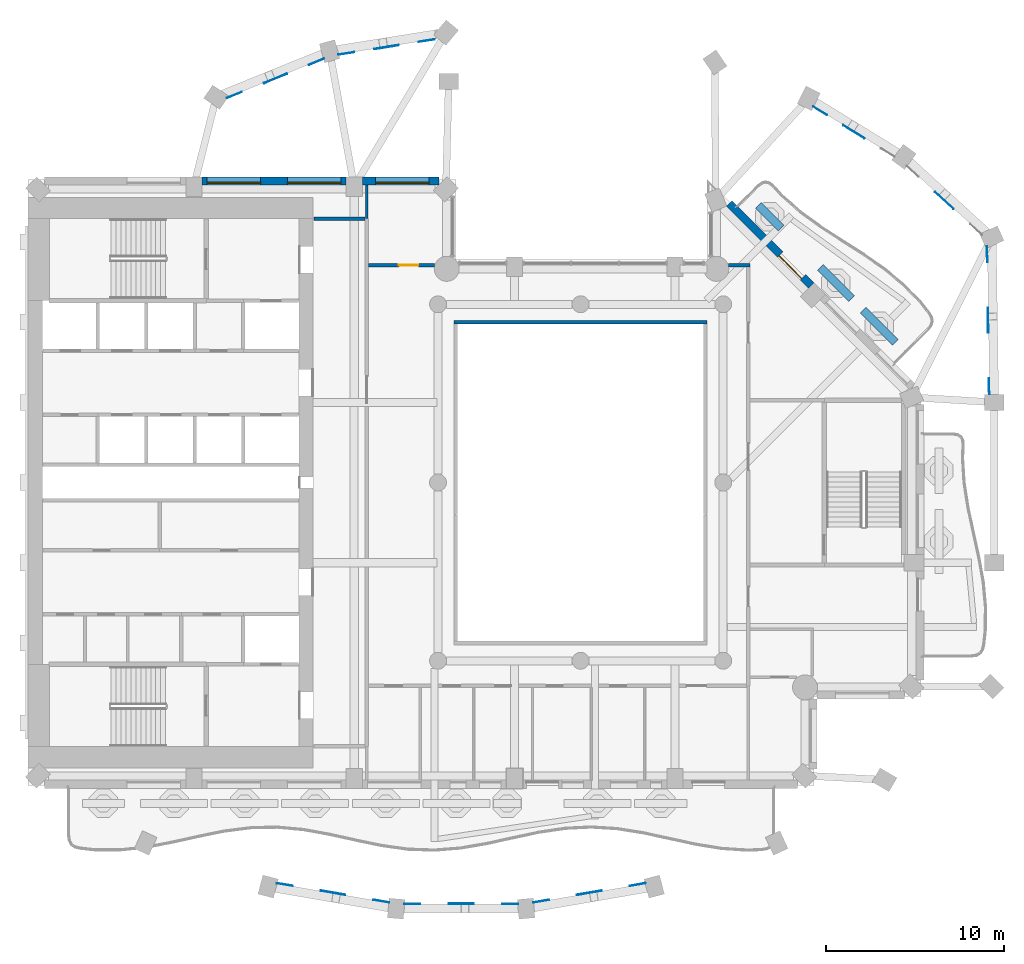
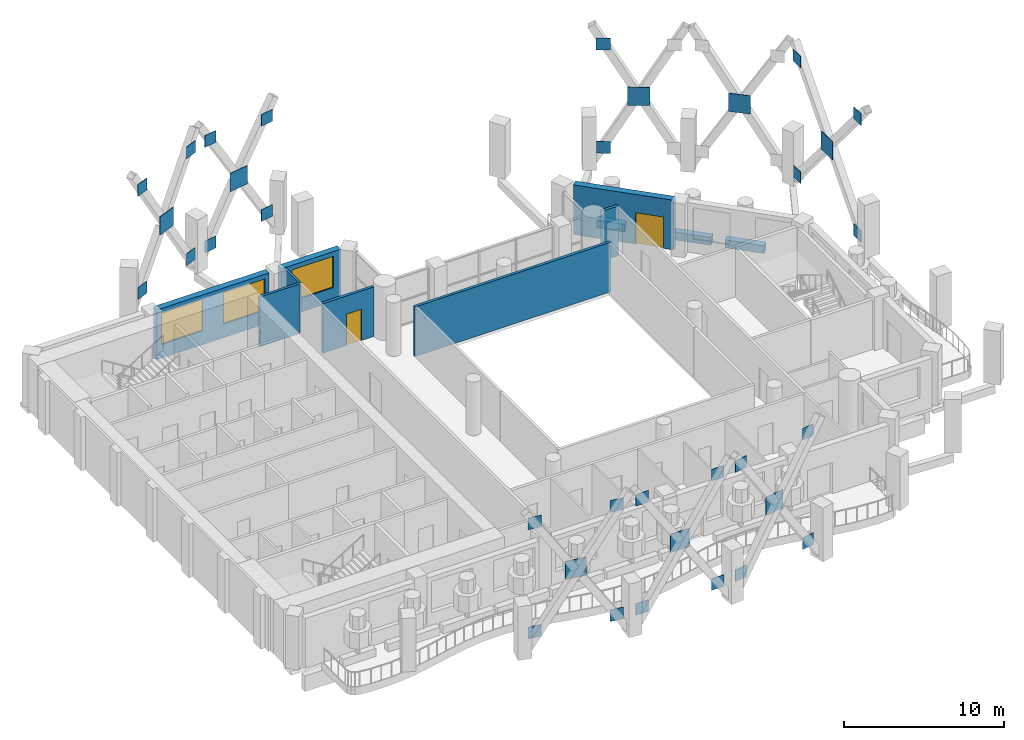
# One storey, part 7 of 16: 34 discrete accessories, 11 walls, 3 windows, 2 doors, 5 openings.
"""IFC4 building model written with IfcOpenShell, lengths in metres."""

from ifc_helpers import new_model, si_unit, direction, frame, frame_2d, origin, origin_2d, place, context, subcontext, project, spatial, rectangle, extrude, material, layer, layer_set, material_profile, profile_set, type_object, element, fill, save


model = new_model("IFC4")

# Units and contexts
model_context = context("Model", 3, precision=1e-05, world=origin(), true_north=direction((0.0, 1.0)))
body_context = subcontext(model_context, "Body", "Model", "MODEL_VIEW")
ifc_project = project(units=[si_unit("LENGTHUNIT", "METRE"), si_unit("AREAUNIT", "SQUARE_METRE"), si_unit("VOLUMEUNIT", "CUBIC_METRE"), si_unit("PLANEANGLEUNIT", "RADIAN"), si_unit("MASSUNIT", "GRAM", prefix="KILO")], contexts=[model_context])

# Site, building, storey
site_placement = place(None, origin())
site = spatial("IfcSite", under=ifc_project, at=site_placement, CompositionType="ELEMENT")
building_placement = place(site_placement, origin())
building = spatial("IfcBuilding", under=site, at=building_placement, Name="Cypress Arch Tower", CompositionType="ELEMENT")
storey_placement = place(building_placement, frame((0.0, 0.0, 168.699951171875)))
storey = spatial("IfcBuildingStorey", under=building, at=storey_placement, Name="L36", CompositionType="ELEMENT", Elevation=168.699951171875)

# Walls
ifc_material_1 = material(Name="Concrete C40/50, waterproofed", Category="concrete")
ifc_layer_1 = layer(ifc_material_1, 0.449951171875)
ifc_layer_set_1 = layer_set([ifc_layer_1], Name="Balcony planter wall PW450")
wall_type_1 = type_object("IfcWallType", Name="Balcony planter wall PW450", PredefinedType="SOLIDWALL", material=ifc_layer_set_1)
wall_1_placement = place(storey_placement, frame((18.650390625, 7.86376953125, 0.0), z_axis=(0.0, 0.0, 1.0), x_axis=(-0.707059037574, 0.707154521576, 0.0)))
element("IfcWall", 1, at=wall_1_placement, inside=storey, type_object=wall_type_1, Name="Balcony planter wall L36-B05.1", PredefinedType="SOLIDWALL", context=body_context, shape_type="SweptSolid", body=[
    extrude(rectangle(XDim=2.556884765625, YDim=0.449951171875, at=frame_2d((1.2783203125, 0.0))), origin(), (0.0, 0.0, 1.0), 0.60009765625),
])
wall_2_placement = place(storey_placement, frame((16.2060546875, 10.30810546875, 0.0), z_axis=(0.0, 0.0, 1.0), x_axis=(-0.707057827829, 0.707155731156, 0.0)))
element("IfcWall", 2, at=wall_2_placement, inside=storey, type_object=wall_type_1, Name="Balcony planter wall L36-B05.2", PredefinedType="SOLIDWALL", context=body_context, shape_type="SweptSolid", body=[
    extrude(rectangle(XDim=2.49365234375, YDim=0.449951171875, at=frame_2d((1.246826171875, 0.0))), origin(), (0.0, 0.0, 1.0), 0.60009765625),
])
wall_3_placement = place(storey_placement, frame((12.250732421875, 14.263427734375, 0.0), z_axis=(0.0, 0.0, 1.0), x_axis=(-0.707039709166, 0.707173846846, 0.0)))
element("IfcWall", 3, at=wall_3_placement, inside=storey, type_object=wall_type_1, Name="Balcony planter wall L36-B05.3", PredefinedType="SOLIDWALL", context=body_context, shape_type="SweptSolid", body=[
    extrude(rectangle(XDim=1.820068359375, YDim=0.449951171875, at=frame_2d((0.91015625, 0.0))), origin(), (0.0, 0.0, 1.0), 0.60009765625),
])

# Wall, opening, door
ifc_material_2 = material(Name="Brick (red buff blend)", Category="masonry")
ifc_layer_2 = layer(ifc_material_2, 0.449951171875)
ifc_layer_set_2 = layer_set([ifc_layer_2], Name="Brick pier and spandrel wall BW450")
wall_type_2 = type_object("IfcWallType", Name="Brick pier and spandrel wall BW450", PredefinedType="SOLIDWALL", material=ifc_layer_set_2)
wall_4_placement = place(storey_placement, frame((13.94091796875, 11.052978515625, 0.0), z_axis=(0.0, 0.0, 1.0), x_axis=(-0.707106781187, 0.707106781187, 0.0)))
wall_4 = element("IfcWall", 4, at=wall_4_placement, inside=storey, type_object=wall_type_2, Name="Brick wall L36 B05.1", PredefinedType="SOLIDWALL", context=body_context, shape_type="SweptSolid", body=[
    extrude(rectangle(XDim=6.505126953125, YDim=0.449951171875, at=frame_2d((3.25244140625, 0.0))), origin(), (0.0, 0.0, 1.0), 3.800048828125),
])
opening_1_placement = place(wall_4_placement, frame((0.665283203125, 0.0, 0.0)))
opening_1 = element("IfcOpeningElement", 5, at=opening_1_placement, cuts=wall_4, Name="Opening D-L36-B05.1.1", PredefinedType="OPENING", context=body_context, shape_type="SweptSolid", body=[
    extrude(rectangle(XDim=1.800048828125, YDim=2.39990234375, at=frame_2d((0.89990234375, 1.199951171875))), frame((0.0, 0.23486328125, 0.0), z_axis=(0.0, -1.0, 0.0), x_axis=(1.0, 0.0, 0.0)), (0.0, 0.0, 1.0), 0.469970703125),
])
ifc_material_3 = material(Name="Anodised aluminium, bronze finish, laminated low-emissivity double glazing, large-missile impact rated", Category="aluminium")
door_type_1 = type_object("IfcDoorType", Name="Balcony sliding door 1800x2400", OperationType="SLIDING_TO_LEFT", PredefinedType="DOOR", material=ifc_material_3)
door_1_placement = place(opening_1_placement, origin())
door_1 = element("IfcDoor", 6, at=door_1_placement, inside=storey, type_object=door_type_1, Name="Balcony door L36 B05.1.1", OperationType="SLIDING_TO_LEFT", OverallHeight=2.39990234375, OverallWidth=1.800048828125, PredefinedType="DOOR", context=body_context, shape_type="SweptSolid", body=[
    extrude(rectangle(XDim=1.800048828125, YDim=2.39990234375, at=frame_2d((0.89990234375, 1.199951171875))), frame((0.0, 0.1298828125, 0.0), z_axis=(0.0, -1.0, 0.0), x_axis=(1.0, 0.0, 0.0)), (0.0, 0.0, 1.0), 0.050048828125),
])
fill(opening_1, door_1)

# Wall, opening, window
wall_5_placement = place(storey_placement, frame((-6.936279296875, 16.925048828125, 0.0), z_axis=(0.0, 0.0, 1.0), x_axis=(-1.0, 0.0, 0.0)))
wall_5 = element("IfcWall", 7, at=wall_5_placement, inside=storey, type_object=wall_type_2, Name="Brick wall L36 B09.0", PredefinedType="SOLIDWALL", context=body_context, shape_type="SweptSolid", body=[
    extrude(rectangle(XDim=4.313720703125, YDim=0.449951171875, at=frame_2d((2.15673828125, 0.0))), origin(), (0.0, 0.0, 1.0), 3.800048828125),
])
opening_2_placement = place(wall_5_placement, frame((0.563720703125, 0.0, 1.050048828125)))
opening_2 = element("IfcOpeningElement", 8, at=opening_2_placement, cuts=wall_5, Name="Opening W300O", PredefinedType="OPENING", context=body_context, shape_type="SweptSolid", body=[
    extrude(rectangle(XDim=3.0, YDim=2.39990234375, at=frame_2d((1.5, 1.199951171875))), frame((0.0, 0.23486328125, 0.0), z_axis=(0.0, -1.0, 0.0), x_axis=(1.0, 0.0, 0.0)), (0.0, 0.0, 1.0), 0.469970703125),
])
ifc_material_4 = material(Name="Anodised aluminium, bronze finish, clear low-emissivity double glazing", Category="aluminium")
window_type = type_object("IfcWindowType", Name="Window Office 3000x2400", PartitioningType="SINGLE_PANEL", PredefinedType="WINDOW", material=ifc_material_4)
window_1_placement = place(opening_2_placement, origin())
window_1 = element("IfcWindow", 9, at=window_1_placement, inside=storey, type_object=window_type, Name="Window L36 B09.0.1", OverallHeight=2.39990234375, OverallWidth=3.0, PartitioningType="SINGLE_PANEL", PredefinedType="WINDOW", context=body_context, shape_type="SweptSolid", body=[
    extrude(rectangle(XDim=3.0, YDim=2.39990234375, at=frame_2d((1.5, 1.199951171875))), frame((0.0, 0.135009765625, 0.0), z_axis=(0.0, -1.0, 0.0), x_axis=(1.0, 0.0, 0.0)), (0.0, 0.0, 1.0), 0.06005859375),
])
fill(opening_2, window_1)

# Wall, openings, windows
wall_6_placement = place(storey_placement, frame((-12.14990234375, 16.925048828125, 0.0), z_axis=(0.0, 0.0, 1.0), x_axis=(-1.0, 0.0, 0.0)))
wall_6 = element("IfcWall", 10, at=wall_6_placement, inside=storey, type_object=wall_type_2, Name="Brick wall L36 B09.1", PredefinedType="SOLIDWALL", context=body_context, shape_type="SweptSolid", body=[
    extrude(rectangle(XDim=8.10009765625, YDim=0.449951171875, at=frame_2d((4.050048828125, 0.0))), origin(), (0.0, 0.0, 1.0), 3.800048828125),
])
opening_3_placement = place(wall_6_placement, frame((0.300048828125, 0.0, 1.050048828125)))
opening_3 = element("IfcOpeningElement", 11, at=opening_3_placement, cuts=wall_6, Name="Opening W300O", PredefinedType="OPENING", context=body_context, shape_type="SweptSolid", body=[
    extrude(rectangle(XDim=3.0, YDim=2.39990234375, at=frame_2d((1.5, 1.199951171875))), frame((0.0, 0.23486328125, 0.0), z_axis=(0.0, -1.0, 0.0), x_axis=(1.0, 0.0, 0.0)), (0.0, 0.0, 1.0), 0.469970703125),
])
opening_4_placement = place(wall_6_placement, frame((4.800048828125, 0.0, 1.050048828125)))
opening_4 = element("IfcOpeningElement", 12, at=opening_4_placement, cuts=wall_6, Name="Opening W300O", PredefinedType="OPENING", context=body_context, shape_type="SweptSolid", body=[
    extrude(rectangle(XDim=3.0, YDim=2.39990234375, at=frame_2d((1.5, 1.199951171875))), frame((0.0, 0.23486328125, 0.0), z_axis=(0.0, -1.0, 0.0), x_axis=(1.0, 0.0, 0.0)), (0.0, 0.0, 1.0), 0.469970703125),
])
window_2_placement = place(opening_3_placement, origin())
window_2 = element("IfcWindow", 13, at=window_2_placement, inside=storey, type_object=window_type, Name="Window L36 B09.1.1", OverallHeight=2.39990234375, OverallWidth=3.0, PartitioningType="SINGLE_PANEL", PredefinedType="WINDOW", context=body_context, shape_type="SweptSolid", body=[
    extrude(rectangle(XDim=3.0, YDim=2.39990234375, at=frame_2d((1.5, 1.199951171875))), frame((0.0, 0.135009765625, 0.0), z_axis=(0.0, -1.0, 0.0), x_axis=(1.0, 0.0, 0.0)), (0.0, 0.0, 1.0), 0.06005859375),
])
fill(opening_3, window_2)
window_3_placement = place(opening_4_placement, origin())
window_3 = element("IfcWindow", 14, at=window_3_placement, inside=storey, type_object=window_type, Name="Window L36 B09.1.2", OverallHeight=2.39990234375, OverallWidth=3.0, PartitioningType="SINGLE_PANEL", PredefinedType="WINDOW", context=body_context, shape_type="SweptSolid", body=[
    extrude(rectangle(XDim=3.0, YDim=2.39990234375, at=frame_2d((1.5, 1.199951171875))), frame((0.0, 0.135009765625, 0.0), z_axis=(0.0, -1.0, 0.0), x_axis=(1.0, 0.0, 0.0)), (0.0, 0.0, 1.0), 0.06005859375),
])
fill(opening_4, window_3)

# Wall
ifc_material_5 = material(Name="Concrete blockwork, plastered, rated", Category="masonry")
ifc_layer_3 = layer(ifc_material_5, 0.199951171875)
ifc_layer_set_3 = layer_set([ifc_layer_3], Name="Corridor wall FW200")
wall_type_3 = type_object("IfcWallType", Name="Corridor wall FW200", PredefinedType="PARTITIONING", material=ifc_layer_set_3)
wall_7_placement = place(storey_placement, frame((-13.969970703125, 14.800048828125, 0.0), z_axis=(0.0, 0.0, 1.0), x_axis=(1.0, 0.0, 0.0)))
element("IfcWall", 15, at=wall_7_placement, inside=storey, type_object=wall_type_3, Name="Corridor wall", PredefinedType="PARTITIONING", context=body_context, shape_type="SweptSolid", body=[
    extrude(rectangle(XDim=2.869873046875, YDim=0.199951171875, at=frame_2d((1.43505859375, 0.0))), origin(), (0.0, 0.0, 1.0), 3.800048828125),
])

# Wall, opening, door
wall_8_placement = place(storey_placement, frame((-10.89990234375, 12.199951171875, 0.0), z_axis=(0.0, 0.0, 1.0), x_axis=(1.0, 0.0, 0.0)))
wall_8 = element("IfcWall", 16, at=wall_8_placement, inside=storey, type_object=wall_type_3, Name="Corridor wall", PredefinedType="PARTITIONING", context=body_context, shape_type="SweptSolid", body=[
    extrude(rectangle(XDim=3.7041015625, YDim=0.199951171875, at=frame_2d((1.85205078125, 0.0))), origin(), (0.0, 0.0, 1.0), 3.800048828125),
])
opening_5_placement = place(wall_8_placement, frame((1.699951171875, 0.0, 0.0)))
opening_5 = element("IfcOpeningElement", 17, at=opening_5_placement, cuts=wall_8, Name="Opening D01", PredefinedType="OPENING", context=body_context, shape_type="SweptSolid", body=[
    extrude(rectangle(XDim=1.10009765625, YDim=2.39990234375, at=frame_2d((0.550048828125, 1.199951171875))), frame((0.0, 0.10986328125, 0.0), z_axis=(0.0, -1.0, 0.0), x_axis=(1.0, 0.0, 0.0)), (0.0, 0.0, 1.0), 0.219970703125),
])
ifc_material_6 = material(Name="Timber flush door, fire resisting, self-closing", Category="wood")
door_type_2 = type_object("IfcDoorType", Name="Unit entrance door D01 1100x2400", OperationType="SINGLE_SWING_LEFT", PredefinedType="DOOR", material=ifc_material_6)
door_2_placement = place(opening_5_placement, origin())
door_2 = element("IfcDoor", 18, at=door_2_placement, inside=storey, type_object=door_type_2, Name="Unit entrance door", OperationType="SINGLE_SWING_RIGHT", OverallHeight=2.39990234375, OverallWidth=1.10009765625, PredefinedType="DOOR", context=body_context, shape_type="SweptSolid", body=[
    extrude(rectangle(XDim=1.10009765625, YDim=2.39990234375, at=frame_2d((0.550048828125, 1.199951171875))), frame((0.0, 0.02490234375, 0.0), z_axis=(0.0, -1.0, 0.0), x_axis=(1.0, 0.0, 0.0)), (0.0, 0.0, 1.0), 0.050048828125),
])
fill(opening_5, door_2)

# Walls
wall_9_placement = place(storey_placement, frame((-6.10009765625, 9.0, 0.0), z_axis=(0.0, 0.0, 1.0), x_axis=(1.0, 0.0, 0.0)))
element("IfcWall", 19, at=wall_9_placement, inside=storey, type_object=wall_type_3, Name="Corridor wall", PredefinedType="PARTITIONING", context=body_context, shape_type="SweptSolid", body=[
    extrude(rectangle(XDim=14.2001953125, YDim=0.199951171875, at=frame_2d((7.10009765625, 0.0))), origin(), (0.0, 0.0, 1.0), 3.800048828125),
])
wall_10_placement = place(storey_placement, frame((9.295654296875, 12.199951171875, 0.0), z_axis=(0.0, 0.0, 1.0), x_axis=(1.0, 0.0, 0.0)))
element("IfcWall", 20, at=wall_10_placement, inside=storey, type_object=wall_type_3, Name="Corridor wall", PredefinedType="PARTITIONING", context=body_context, shape_type="SweptSolid", body=[
    extrude(rectangle(XDim=1.204345703125, YDim=0.199951171875, at=frame_2d((0.60205078125, 0.0))), origin(), (0.0, 0.0, 1.0), 3.800048828125),
])
ifc_material_7 = material(Name="Blockwork, plastered both sides", Category="masonry")
ifc_layer_4 = layer(ifc_material_7, 0.14990234375)
ifc_layer_set_4 = layer_set([ifc_layer_4], Name="Partition PW150")
wall_type_4 = type_object("IfcWallType", Name="Partition PW150", PredefinedType="PARTITIONING", material=ifc_layer_set_4)
wall_11_placement = place(storey_placement, frame((-11.0, 14.820068359375, 0.0), z_axis=(0.0, 0.0, 1.0), x_axis=(0.0, 1.0, 0.0)))
element("IfcWall", 21, at=wall_11_placement, inside=storey, type_object=wall_type_4, Name="Partition", PredefinedType="PARTITIONING", context=body_context, shape_type="SweptSolid", body=[
    extrude(rectangle(XDim=1.8798828125, YDim=0.14990234375, at=frame_2d((0.93994140625, 0.0))), origin(), (0.0, 0.0, 1.0), 3.800048828125),
])

# Discrete accessories
ifc_material_8 = material(Name="Steel ASTM A992", Category="steel")
ifc_material_profile_1 = material_profile(ifc_material_8, rectangle(XDim=0.89990234375, YDim=0.89990234375, at=origin_2d()), Name="PL 30 900x900")
ifc_profile_set_1 = profile_set([ifc_material_profile_1], Name="Steel ASTM A992")
discrete_accessory_type_1 = type_object("IfcDiscreteAccessoryType", Name="Gusset plate 900x900x30 Steel ASTM A992", PredefinedType="ANCHORPLATE", material=ifc_profile_set_1)
discrete_accessory_1_placement = place(storey_placement, frame((-7.630859375, 24.806396484375, 1.907470703125), z_axis=(0.15512400912, -0.987895005451, 0.0), x_axis=(0.987895005451, 0.15512400912, 0.0)))
element("IfcDiscreteAccessory", 22, at=discrete_accessory_1_placement, inside=storey, type_object=discrete_accessory_type_1, Name="Gusset plate L36 CQ02-CQ03u0", PredefinedType="ANCHORPLATE", context=body_context, shape_type="SweptSolid", body=[
    extrude(rectangle(XDim=0.89990234375, YDim=0.89990234375, at=origin_2d()), origin(), (0.0, 0.0, 1.0), 0.02978515625),
])
discrete_accessory_2_placement = place(storey_placement, frame((-12.149658203125, 24.0849609375, 9.585205078125), z_axis=(0.153882731479, -0.98808911792, 0.0), x_axis=(0.98808911792, 0.153882731479, 0.0)))
element("IfcDiscreteAccessory", 23, at=discrete_accessory_2_placement, inside=storey, type_object=discrete_accessory_type_1, Name="Gusset plate L36 CQ02-CQ03u1", PredefinedType="ANCHORPLATE", context=body_context, shape_type="SweptSolid", body=[
    extrude(rectangle(XDim=0.89990234375, YDim=0.89990234375, at=origin_2d()), origin(), (0.0, 0.0, 1.0), 0.030029296875),
])
discrete_accessory_3_placement = place(storey_placement, frame((-7.630859375, 24.806396484375, 9.192626953125), z_axis=(0.15512400912, -0.987895005451, 0.0), x_axis=(0.987895005451, 0.15512400912, 0.0)))
element("IfcDiscreteAccessory", 24, at=discrete_accessory_3_placement, inside=storey, type_object=discrete_accessory_type_1, Name="Gusset plate L36 CQ02-CQ03d0", PredefinedType="ANCHORPLATE", context=body_context, shape_type="SweptSolid", body=[
    extrude(rectangle(XDim=0.89990234375, YDim=0.89990234375, at=origin_2d()), origin(), (0.0, 0.0, 1.0), 0.02978515625),
])
for number, where, z_axis, x_axis, name in (
    (25, (-12.149658203125, 24.0849609375, 1.514892578125), (0.153882731479, -0.98808911792, 0.0), (0.98808911792, 0.153882731479, 0.0), "Gusset plate L36 CQ02-CQ03d1"),
    (26, (-13.822998046875, 23.618896484375, 1.46044921875), (0.381157654408, -0.924510055373, 0.0), (0.924510055373, 0.381157654408, 0.0), "Gusset plate L36 CQ03-CQ04u0"),
    (27, (-18.429443359375, 21.7529296875, 9.49951171875), (0.374194034192, -0.927350432563, 0.0), (0.927350432563, 0.374194034192, 0.0), "Gusset plate L36 CQ03-CQ04u1"),
    (28, (-13.822998046875, 23.618896484375, 9.6396484375), (0.381157654408, -0.924510055373, 0.0), (0.924510055373, 0.381157654408, 0.0), "Gusset plate L36 CQ03-CQ04d0"),
    (29, (-18.429443359375, 21.7529296875, 1.6005859375), (0.374194034192, -0.927350432563, 0.0), (0.927350432563, 0.374194034192, 0.0), "Gusset plate L36 CQ03-CQ04d1"),
    (30, (-15.59716796875, -22.56884765625, 1.37255859375), (0.163076596924, 0.986613411391, 0.0), (-0.986613411391, 0.163076596924, 0.0), "Gusset plate L36 CQ06-CQ07u0"),
    (31, (-10.188232421875, -23.500244140625, 9.7275390625), (0.170997525788, 0.985271458114, 0.0), (-0.985271458114, 0.170997525788, 0.0), "Gusset plate L36 CQ06-CQ07u1"),
    (32, (-15.59716796875, -22.56884765625, 9.7275390625), (0.163076596924, 0.986613411391, 0.0), (-0.986613411391, 0.163076596924, 0.0), "Gusset plate L36 CQ06-CQ07d0"),
    (33, (-10.188232421875, -23.500244140625, 1.37255859375), (0.170997525788, 0.985271458114, 0.0), (-0.985271458114, 0.170997525788, 0.0), "Gusset plate L36 CQ06-CQ07d1"),
    (34, (-8.441162109375, -23.649658203125, 1.373779296875), (0.0, 1.0, 0.0), (-1.0, 0.0, 0.0), "Gusset plate L36 CQ07-CQ08u0"),
    (35, (-2.958984375, -23.649658203125, 9.726318359375), (0.0, 1.0, 0.0), (-1.0, 0.0, 0.0), "Gusset plate L36 CQ07-CQ08u1"),
    (36, (-8.441162109375, -23.649658203125, 9.726318359375), (0.0, 1.0, 0.0), (-1.0, 0.0, 0.0), "Gusset plate L36 CQ07-CQ08d0"),
    (37, (-2.958984375, -23.649658203125, 1.373779296875), (0.0, 1.0, 0.0), (-1.0, 0.0, 0.0), "Gusset plate L36 CQ07-CQ08d1"),
    (38, (-1.2119140625, -23.500244140625, 1.37255859375), (-0.170997525788, 0.985271458114, 0.0), (-0.985271458114, -0.170997525788, 0.0), "Gusset plate L36 CQ08-CQ09u0"),
    (39, (4.197265625, -22.56884765625, 9.7275390625), (-0.170997525788, 0.985271458114, 0.0), (-0.985271458114, -0.170997525788, 0.0), "Gusset plate L36 CQ08-CQ09u1"),
    (40, (-1.2119140625, -23.500244140625, 9.7275390625), (-0.170997525788, 0.985271458114, 0.0), (-0.985271458114, -0.170997525788, 0.0), "Gusset plate L36 CQ08-CQ09d0"),
    (41, (4.197265625, -22.56884765625, 1.37255859375), (-0.170997525788, 0.985271458114, 0.0), (-0.985271458114, -0.170997525788, 0.0), "Gusset plate L36 CQ08-CQ09d1"),
    (42, (23.932861328125, 5.396240234375, 1.078857421875), (-0.999867829764, -0.016258013492, 0.0), (0.016258013492, -0.999867829764, 0.0), "Gusset plate L36 CQ14-CQ15u0"),
    (43, (23.82373046875, 12.8154296875, 9.97314453125), (-0.999867829764, -0.016258013492, 0.0), (0.016258013492, -0.999867829764, 0.0), "Gusset plate L36 CQ14-CQ15u1"),
    (44, (23.932861328125, 5.396240234375, 10.021240234375), (-0.999867829764, -0.016258013492, 0.0), (0.016258013492, -0.999867829764, 0.0), "Gusset plate L36 CQ14-CQ15d0"),
    (45, (23.82373046875, 12.8154296875, 1.126953125), (-0.999867829764, -0.016258013492, 0.0), (0.016258013492, -0.999867829764, 0.0), "Gusset plate L36 CQ14-CQ15d1"),
):
    element("IfcDiscreteAccessory", number, at=place(storey_placement, frame(where, z_axis=z_axis, x_axis=x_axis)), inside=storey, type_object=discrete_accessory_type_1, Name=name, PredefinedType="ANCHORPLATE", context=body_context, shape_type="SweptSolid", body=[
        extrude(rectangle(XDim=0.89990234375, YDim=0.89990234375, at=origin_2d()), origin(), (0.0, 0.0, 1.0), 0.030029296875),
    ])
for number, where, z_axis, x_axis, name in (
    (46, (14.43798828125, 20.8603515625, 9.502197265625), (-0.524097425664, -0.851658316705, 0.0), (0.851658316705, -0.524097425664, 0.0), "Gusset plate L36 CQ16-CQ17u1"),
    (47, (14.43798828125, 20.8603515625, 1.597900390625), (-0.524097425664, -0.851658316705, 0.0), (0.851658316705, -0.524097425664, 0.0), "Gusset plate L36 CQ16-CQ17d1"),
):
    element("IfcDiscreteAccessory", number, at=place(storey_placement, frame(where, z_axis=z_axis, x_axis=x_axis)), inside=storey, type_object=discrete_accessory_type_1, Name=name, PredefinedType="ANCHORPLATE", context=body_context, shape_type="SweptSolid", body=[
        extrude(rectangle(XDim=0.89990234375, YDim=0.89990234375, at=origin_2d()), origin(), (0.0, 0.0, 1.0), 0.02978515625),
    ])
ifc_material_9 = material(Name="Steel ASTM A992", Category="steel")
ifc_material_profile_2 = material_profile(ifc_material_9, rectangle(XDim=1.39990234375, YDim=1.39990234375, at=origin_2d()), Name="PL 40 1400x1400")
ifc_profile_set_2 = profile_set([ifc_material_profile_2], Name="Steel ASTM A992")
discrete_accessory_type_2 = type_object("IfcDiscreteAccessoryType", Name="Node plate 1400x1400x40 Steel ASTM A992", PredefinedType="ANCHORPLATE", material=ifc_profile_set_2)
discrete_accessory_4_placement = place(storey_placement, frame((-9.890380859375, 24.445556640625, 5.550048828125), z_axis=(0.159425218663, -0.987210007878, 0.0), x_axis=(0.987210007878, 0.159425218663, 0.0)))
element("IfcDiscreteAccessory", 48, at=discrete_accessory_4_placement, inside=storey, type_object=discrete_accessory_type_2, Name="Node plate L36 CQ02-CQ03", PredefinedType="ANCHORPLATE", context=body_context, shape_type="SweptSolid", body=[
    extrude(rectangle(XDim=1.39990234375, YDim=1.39990234375, at=origin_2d()), origin(), (0.0, 0.0, 1.0), 0.039794921875),
])
for number, where, z_axis, x_axis, name in (
    (49, (-16.126220703125, 22.68603515625, 5.550048828125), (0.377683854905, -0.925934612024, 0.0), (0.925934612024, 0.377683854905, 0.0), "Node plate L36 CQ03-CQ04"),
    (50, (-12.892822265625, -23.03466796875, 5.550048828125), (0.170314285219, 0.985389793052, 0.0), (-0.985389793052, 0.170314285219, 0.0), "Node plate L36 CQ06-CQ07"),
    (51, (-5.699951171875, -23.649658203125, 5.550048828125), (0.0, 1.0, 0.0), (-1.0, 0.0, 0.0), "Node plate L36 CQ07-CQ08"),
    (52, (1.49267578125, -23.03466796875, 5.550048828125), (-0.170314285219, 0.985389793052, 0.0), (-0.985389793052, -0.170314285219, 0.0), "Node plate L36 CQ08-CQ09"),
):
    element("IfcDiscreteAccessory", number, at=place(storey_placement, frame(where, z_axis=z_axis, x_axis=x_axis)), inside=storey, type_object=discrete_accessory_type_2, Name=name, PredefinedType="ANCHORPLATE", context=body_context, shape_type="SweptSolid", body=[
        extrude(rectangle(XDim=1.39990234375, YDim=1.39990234375, at=origin_2d()), origin(), (0.0, 0.0, 1.0), 0.0400390625),
    ])
discrete_accessory_5_placement = place(storey_placement, frame((23.878173828125, 9.105712890625, 5.550048828125), z_axis=(-0.999924732801, -0.012269015126, 0.0), x_axis=(0.012269015126, -0.999924732801, 0.0)))
element("IfcDiscreteAccessory", 53, at=discrete_accessory_5_placement, inside=storey, type_object=discrete_accessory_type_2, Name="Node plate L36 CQ14-CQ15", PredefinedType="ANCHORPLATE", context=body_context, shape_type="SweptSolid", body=[
    extrude(rectangle(XDim=1.39990234375, YDim=1.39990234375, at=origin_2d()), origin(), (0.0, 0.0, 1.0), 0.039794921875),
])
for number, where, z_axis, x_axis, name in (
    (54, (21.415771484375, 15.8388671875, 5.550048828125), (-0.676000359041, -0.736901292288, 0.0), (0.736901292288, -0.676000359041, 0.0), "Node plate L36 CQ15-CQ16"),
    (55, (16.337646484375, 19.692138671875, 5.550048828125), (-0.523418105875, -0.852075986308, 0.0), (0.852075986308, -0.523418105875, 0.0), "Node plate L36 CQ16-CQ17"),
):
    element("IfcDiscreteAccessory", number, at=place(storey_placement, frame(where, z_axis=z_axis, x_axis=x_axis)), inside=storey, type_object=discrete_accessory_type_2, Name=name, PredefinedType="ANCHORPLATE", context=body_context, shape_type="SweptSolid", body=[
        extrude(rectangle(XDim=1.39990234375, YDim=1.39990234375, at=origin_2d()), origin(), (0.0, 0.0, 1.0), 0.0400390625),
    ])

save(model, "model.ifc")
